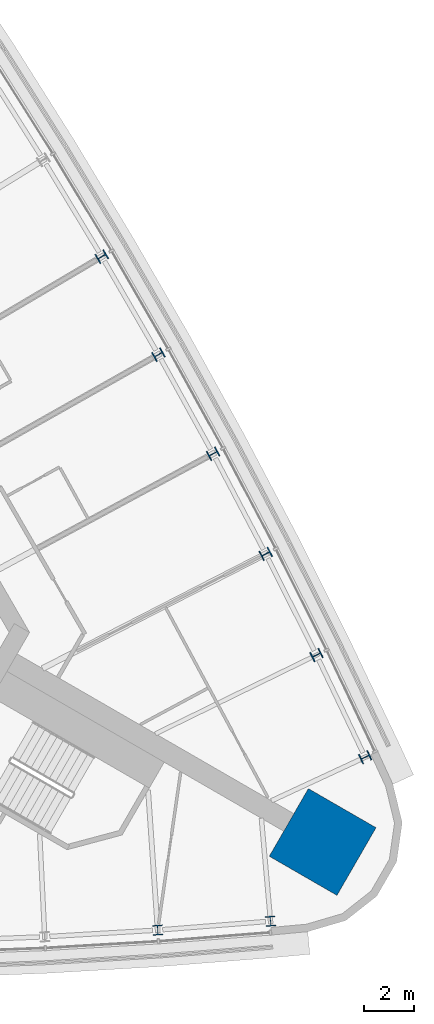
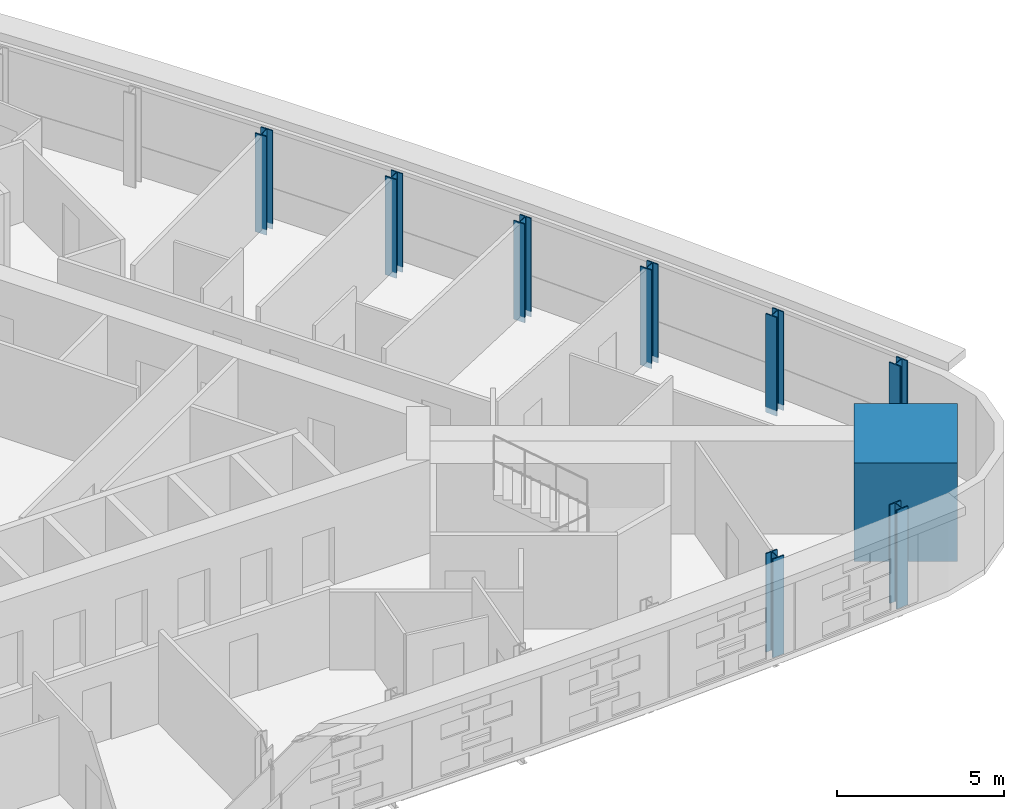
# One storey, part 2 of 17: 9 columns.
"""IFC4 building model written with IfcOpenShell, lengths in metres."""

import ifcopenshell
import ifcopenshell.guid

model = None  # the IFC model being written
_history = None  # IfcOwnerHistory: only IFC2X3 demands one
_inside = {}  # id of a spatial element -> (the spatial element, [elements in it])
_under = {}  # id of a project, library or spatial element -> (it, [spatial elements below it])
_declared = {}  # id of a project -> (the project, [libraries it declares])
_typed = {}  # id of a type object -> (the type object, [elements of that type])
_made_of = {}  # id of a material, layer set ... -> (it, [elements and type objects made of it])


def new_model(schema):
    """Start an empty IFC model of exactly this schema.

    Asked for "IFC4X3", IfcOpenShell would pick the latest addendum, in which some entities
    have other attributes; the version numbers below select the first issue.
    IFC2X3 requires an IfcOwnerHistory on every rooted entity: one is made here for all.
    """
    global model, _history
    if schema == "IFC4X3":
        model = ifcopenshell.file(schema_version=(4, 3, 0, 0))
    else:
        model = ifcopenshell.file(schema=schema)
    _inside.clear()
    _under.clear()
    _declared.clear()
    _typed.clear()
    _made_of.clear()
    _history = None
    if model.schema == "IFC2X3":
        org = make("IfcOrganization", Name="unknown")
        user = make(
            "IfcPersonAndOrganization",
            ThePerson=make("IfcPerson", FamilyName="unknown"),
            TheOrganization=org,
        )
        app = make(
            "IfcApplication",
            ApplicationDeveloper=org,
            Version="unknown",
            ApplicationFullName="unknown",
            ApplicationIdentifier="unknown",
        )
        _history = make(
            "IfcOwnerHistory",
            OwningUser=user,
            OwningApplication=app,
            ChangeAction="ADDED",
            CreationDate=0,
        )
    return model


def make(cls, **values):
    """One entity of the class cls with the attributes given. An attribute that is None is left unset."""
    return model.create_entity(
        cls, **{name: value for name, value in values.items() if value is not None}
    )


def rooted(cls, **values):
    """An entity with a GlobalId (a new one), such as an element, a storey or a relation."""
    return make(cls, GlobalId=ifcopenshell.guid.new(), OwnerHistory=_history, **values)


def si_unit(unit_type, name, prefix=None):
    """IfcSIUnit, for example si_unit("LENGTHUNIT", "METRE", prefix="MILLI")."""
    return make("IfcSIUnit", UnitType=unit_type, Prefix=prefix, Name=name)


def assignment(units):
    """IfcUnitAssignment: the units of a project."""
    return None if units is None else make("IfcUnitAssignment", Units=units)


def point(xyz):
    """IfcCartesianPoint."""
    return None if xyz is None else make("IfcCartesianPoint", Coordinates=xyz)


def direction(xyz):
    """IfcDirection."""
    return None if xyz is None else make("IfcDirection", DirectionRatios=xyz)


def frame(location, z_axis=None, x_axis=None):
    """IfcAxis2Placement3D, a coordinate frame: its origin and axes. An axis left out is left unset."""
    return make(
        "IfcAxis2Placement3D",
        Location=point(location),
        Axis=direction(z_axis),
        RefDirection=direction(x_axis),
    )


def frame_2d(location, x_axis=None):
    """IfcAxis2Placement2D, a coordinate frame in the plane: its origin and x axis."""
    return make(
        "IfcAxis2Placement2D", Location=point(location), RefDirection=direction(x_axis)
    )


def origin():
    """The frame at (0, 0, 0) with its axes left unset."""
    return frame((0.0, 0.0, 0.0))


def origin_2d():
    """The frame at (0, 0) in the plane with its x axis left unset."""
    return frame_2d((0.0, 0.0))


def place(relative_to, where):
    """IfcLocalPlacement: puts the frame where relative to a parent placement (None: the world)."""
    return make(
        "IfcLocalPlacement", PlacementRelTo=relative_to, RelativePlacement=where
    )


def context(
    kind, dimensions, precision=None, world=None, true_north=None, identifier=None
):
    """IfcGeometricRepresentationContext, for example the 3D "Model" context."""
    return make(
        "IfcGeometricRepresentationContext",
        ContextIdentifier=identifier,
        ContextType=kind,
        CoordinateSpaceDimension=dimensions,
        Precision=precision,
        WorldCoordinateSystem=world,
        TrueNorth=true_north,
    )


def subcontext(parent, identifier, kind, view, scale=None):
    """IfcGeometricRepresentationSubContext, for example "Body" below "Model"."""
    return make(
        "IfcGeometricRepresentationSubContext",
        ContextIdentifier=identifier,
        ContextType=kind,
        ParentContext=parent,
        TargetScale=scale,
        TargetView=view,
    )


def project(units=None, contexts=None):
    """IfcProject with its units and contexts."""
    return rooted(
        "IfcProject",
        Name="project",
        RepresentationContexts=contexts,
        UnitsInContext=assignment(units),
    )


def spatial(cls, under=None, at=None, **own):
    """A site, building, storey or space (cls), placed at a placement, below another one or the project."""
    s = rooted(cls, ObjectPlacement=at, **own)
    if under is not None:
        _under.setdefault(under.id(), (under, []))[1].append(s)
    return s


def profile(cls, at=None, kind="AREA", **sizes):
    """A parametric profile (cls). Its sizes go by their IFC names, for example OverallWidth=200.0."""
    return make(cls, ProfileType=kind, Position=at, **sizes)


def rectangle(**sizes):
    """IfcRectangleProfileDef."""
    return profile("IfcRectangleProfileDef", **sizes)


def i_section(**sizes):
    """IfcIShapeProfileDef."""
    return profile("IfcIShapeProfileDef", **sizes)


def extrude(swept, where, along, depth):
    """IfcExtrudedAreaSolid: the profile swept, set in the frame where, extruded along a direction by depth."""
    return make(
        "IfcExtrudedAreaSolid",
        SweptArea=swept,
        Position=where,
        ExtrudedDirection=direction(along),
        Depth=depth,
    )


def shape(context_of_items, identifier, shape_type, items):
    """IfcShapeRepresentation: the items that make up one representation, for example the "Body"."""
    return make(
        "IfcShapeRepresentation",
        ContextOfItems=context_of_items,
        RepresentationIdentifier=identifier,
        RepresentationType=shape_type,
        Items=items,
    )


def material(Name=None, Category=None):
    """IfcMaterial."""
    return make("IfcMaterial", Name=Name, Category=Category)


def material_profile(
    of_material, cross_section, Name=None, Category=None, Priority=None
):
    """IfcMaterialProfile: a cross section and its material."""
    return make(
        "IfcMaterialProfile",
        Name=Name,
        Material=of_material,
        Profile=cross_section,
        Priority=Priority,
        Category=Category,
    )


def profile_set(profiles, Name=None, composite=None):
    """IfcMaterialProfileSet."""
    return make(
        "IfcMaterialProfileSet",
        Name=Name,
        MaterialProfiles=profiles,
        CompositeProfile=composite,
    )


def made_of(thing, what):
    """Note that an element or type object is made of a material, layer set ...; save() writes the relation."""
    if what is not None:
        _made_of.setdefault(what.id(), (what, []))[1].append(thing)
    return thing


def type_object(cls, material=None, **own):
    """A type object (cls), such as IfcWallType, which elements share."""
    return made_of(rooted(cls, **own), material)


def element(
    cls,
    number,
    at=None,
    inside=None,
    cuts=None,
    type_object=None,
    material=None,
    context=None,
    identifier="Body",
    shape_type=None,
    held_by="IfcProductDefinitionShape",
    body=None,
    shapes=None,
    **own,
):
    """One element of the class cls, such as IfcWall. Its Tag is "e" and its number.

    at: its placement. inside: the storey or other place that contains it. cuts: it is an
    opening in that element (IfcRelVoidsElement). A single representation is given by context,
    identifier, shape_type and body (its items); several are given by shapes. held_by: the class
    of the entity that holds the representations. save() writes the other relations.
    """
    e = rooted(cls, Tag="e%d" % number, ObjectPlacement=at, **own)
    if body is not None:
        shapes = [shape(context, identifier, shape_type, body)]
    if shapes is not None:
        e.Representation = make(held_by, Representations=shapes)
    if inside is not None:
        _inside.setdefault(inside.id(), (inside, []))[1].append(e)
    if cuts is not None:
        rooted(
            "IfcRelVoidsElement", RelatingBuildingElement=cuts, RelatedOpeningElement=e
        )
    if type_object is not None:
        _typed.setdefault(type_object.id(), (type_object, []))[1].append(e)
    return made_of(e, material)


def aggregate(whole, parts):
    """IfcRelAggregates: a whole, such as a stair, and the parts it consists of."""
    return rooted("IfcRelAggregates", RelatingObject=whole, RelatedObjects=parts)


def save(model, path):
    """Write the relations noted so far, then the file.

    IfcRelAggregates (storeys below a building ...), IfcRelContainedInSpatialStructure (elements
    in a storey), IfcRelDefinesByType, IfcRelAssociatesMaterial and IfcRelDeclares: one each for
    every whole, place, type object, material and project.
    """
    for whole, parts in _under.values():
        aggregate(whole, parts)
    for where, things in _inside.values():
        rooted(
            "IfcRelContainedInSpatialStructure",
            RelatedElements=things,
            RelatingStructure=where,
        )
    for kind, things in _typed.values():
        rooted("IfcRelDefinesByType", RelatedObjects=things, RelatingType=kind)
    for what, things in _made_of.values():
        rooted("IfcRelAssociatesMaterial", RelatedObjects=things, RelatingMaterial=what)
    for by, libraries in _declared.values():
        rooted("IfcRelDeclares", RelatingContext=by, RelatedDefinitions=libraries)
    model.write(path)


model = new_model("IFC4")

# Units and contexts
model_context = context("Model", 3, precision=1e-05, world=origin(), true_north=direction((0.0, 1.0)))
body_context = subcontext(model_context, "Body", "Model", "MODEL_VIEW")
ifc_project = project(units=[si_unit("LENGTHUNIT", "METRE"), si_unit("AREAUNIT", "SQUARE_METRE"), si_unit("VOLUMEUNIT", "CUBIC_METRE"), si_unit("PLANEANGLEUNIT", "RADIAN"), si_unit("MASSUNIT", "GRAM", prefix="KILO")], contexts=[model_context])

# Site, building, storey
site_placement = place(None, origin())
site = spatial("IfcSite", under=ifc_project, at=site_placement, CompositionType="ELEMENT")
building_placement = place(site_placement, origin())
building = spatial("IfcBuilding", under=site, at=building_placement, Name="Noor Cloister Tower", CompositionType="ELEMENT")
storey_placement = place(building_placement, frame((0.0, 0.0, 102.300048828125)))
storey = spatial("IfcBuildingStorey", under=building, at=storey_placement, Name="L26", CompositionType="ELEMENT", Elevation=102.300048828125)

# Columns
ifc_material_1 = material(Name="Steel ASTM A992 Gr 50", Category="steel")
ifc_material_profile_1 = material_profile(ifc_material_1, i_section(OverallWidth=0.40087890625, OverallDepth=0.39892578125, WebThickness=0.02490234375, FlangeThickness=0.03955078125, FilletRadius=0.015380859375, at=origin_2d()), Name="W360x314")
ifc_profile_set_1 = profile_set([ifc_material_profile_1], Name="Steel ASTM A992 Gr 50")
column_type_1 = type_object("IfcColumnType", Name="Column W360x314", PredefinedType="COLUMN", material=ifc_profile_set_1)
for number, where, z_axis, x_axis, name in (
    (1, (15.69970703125, -16.33642578125, -0.199951171875), (0.0, 0.0, 1.0), (0.997627922075, 0.06883697478, 0.0), "Column S 09 L26"),
    (2, (20.1748046875, -15.9833984375, -0.199951171875), (0.0, 0.0, 1.0), (0.99607982273, 0.088458955177, 0.0), "Column S 10 L26"),
    (3, (23.929443359375, -9.480224609375, -0.199951171875), (0.0, 0.0, 1.0), (-0.421432208989, 0.906859908269, 0.0), "Column NE 01 L26"),
    (4, (21.99755859375, -5.427978515625, -0.199951171875), (0.0, 0.0, 1.0), (-0.439199392158, 0.898389611432, 0.0), "Column NE 02 L26"),
    (5, (19.986328125, -1.414794921875, -0.199951171875), (0.0, 0.0, 1.0), (-0.456796421257, 0.889571261635, 0.0), "Column NE 03 L26"),
    (6, (17.896728515625, 2.558349609375, -0.199951171875), (0.0, 0.0, 1.0), (-0.474216478854, 0.880408275281, 0.0), "Column NE 04 L26"),
    (7, (15.72900390625, 6.489501953125, -0.199951171875), (0.0, 0.0, 1.0), (-0.491452816121, 0.870904202267, 0.0), "Column NE 05 L26"),
    (8, (13.484375, 10.376953125, -0.199951171875), (0.0, 0.0, 1.0), (-0.508498755365, 0.861062724656, 0.0), "Column NE 06 L26"),
):
    element("IfcColumn", number, at=place(storey_placement, frame(where, z_axis=z_axis, x_axis=x_axis)), inside=storey, type_object=column_type_1, Name=name, PredefinedType="COLUMN", context=body_context, shape_type="SweptSolid", body=[
        extrude(i_section(OverallWidth=0.40087890625, OverallDepth=0.39892578125, WebThickness=0.02490234375, FlangeThickness=0.03955078125, FilletRadius=0.015380859375, at=origin_2d()), origin(), (0.0, 0.0, 1.0), 3.599853515625),
    ])
ifc_material_2 = material(Name="Concrete C80/95", Category="concrete")
ifc_material_profile_2 = material_profile(ifc_material_2, rectangle(XDim=3.10009765625, YDim=3.10009765625, at=origin_2d()), Name="RC 3100x3100")
ifc_profile_set_2 = profile_set([ifc_material_profile_2], Name="Concrete C80/95")
column_type_2 = type_object("IfcColumnType", Name="Corner pier 3100 x 3100 C80/95", PredefinedType="COLUMN", material=ifc_profile_set_2)
column_placement = place(storey_placement, frame((22.242919921875, -12.842041015625, -0.199951171875), z_axis=(0.0, 0.0, 1.0), x_axis=(0.866025403784, -0.5, 0.0)))
element("IfcColumn", 9, at=column_placement, inside=storey, type_object=column_type_2, Name="Corner pier SE L26", PredefinedType="COLUMN", context=body_context, shape_type="SweptSolid", body=[
    extrude(rectangle(XDim=3.10009765625, YDim=3.10009765625, at=origin_2d()), origin(), (0.0, 0.0, 1.0), 3.599853515625),
])

save(model, "model.ifc")
